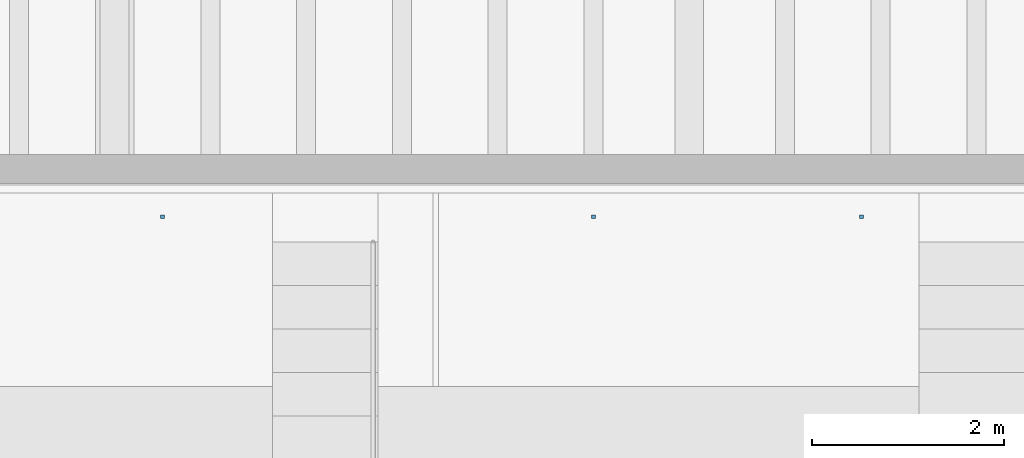
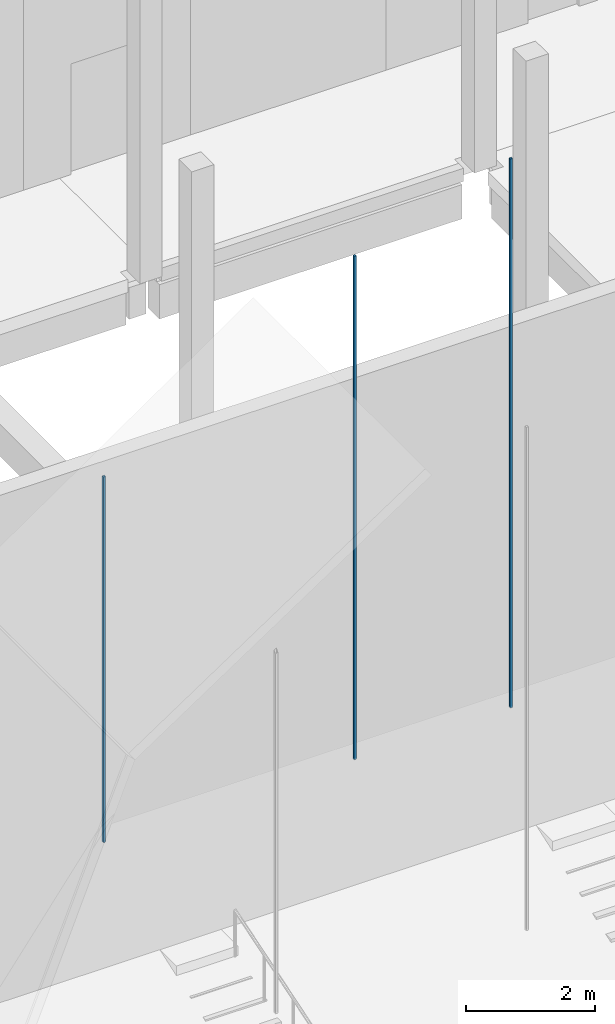
# One storey, part 74 of 118: 3 discrete accessories.
"""IFC4 building model written with IfcOpenShell, lengths in metres."""

from ifc_helpers import new_model, si_unit, direction, frame, origin, origin_2d, place, context, subcontext, project, spatial, rectangle, extrude, element, save


model = new_model("IFC4")

# Units and contexts
model_context = context("Model", 3, precision=1e-05, world=origin(), true_north=direction((0.0, 1.0)))
body_context = subcontext(model_context, "Body", "Model", "MODEL_VIEW")
ifc_project = project(units=[si_unit("LENGTHUNIT", "METRE"), si_unit("AREAUNIT", "SQUARE_METRE"), si_unit("VOLUMEUNIT", "CUBIC_METRE"), si_unit("PLANEANGLEUNIT", "RADIAN"), si_unit("MASSUNIT", "GRAM", prefix="KILO")], contexts=[model_context])

# Site, building, storey
site_placement = place(None, origin())
site = spatial("IfcSite", under=ifc_project, at=site_placement, CompositionType="ELEMENT")
building_placement = place(site_placement, origin())
building = spatial("IfcBuilding", under=site, at=building_placement, Name="Saffron Lane Theatres", CompositionType="ELEMENT")
storey_placement = place(building_placement, frame((0.0, 0.0, 16.5)))
storey = spatial("IfcBuildingStorey", under=building, at=storey_placement, Name="L03", CompositionType="ELEMENT", Elevation=16.5)

# Discrete accessories
discrete_accessory_1_placement = place(storey_placement, frame((24.5, 89.35009765625, 4.56005859375), z_axis=(0.0, 0.0, 1.0), x_axis=(1.0, 0.0, 0.0)))
element("IfcDiscreteAccessory", 1, at=discrete_accessory_1_placement, inside=storey, Name="Ceiling hanger", PredefinedType="BRACKET", context=body_context, shape_type="SweptSolid", body=[
    extrude(rectangle(XDim=0.0400390625, YDim=0.0400390625, at=origin_2d()), origin(), (0.0, 0.0, 1.0), 6.9375),
])
discrete_accessory_2_placement = place(storey_placement, frame((29.0, 89.35009765625, 4.56005859375), z_axis=(0.0, 0.0, 1.0), x_axis=(1.0, 0.0, 0.0)))
element("IfcDiscreteAccessory", 2, at=discrete_accessory_2_placement, inside=storey, Name="Ceiling hanger", PredefinedType="BRACKET", context=body_context, shape_type="SweptSolid", body=[
    extrude(rectangle(XDim=0.0400390625, YDim=0.0400390625, at=origin_2d()), origin(), (0.0, 0.0, 1.0), 9.54833984375),
])
discrete_accessory_3_placement = place(storey_placement, frame((31.800048828125, 89.35009765625, 4.56005859375), z_axis=(0.0, 0.0, 1.0), x_axis=(1.0, 0.0, 0.0)))
element("IfcDiscreteAccessory", 3, at=discrete_accessory_3_placement, inside=storey, Name="Ceiling hanger", PredefinedType="BRACKET", context=body_context, shape_type="SweptSolid", body=[
    extrude(rectangle(XDim=0.0400390625, YDim=0.0400390625, at=origin_2d()), origin(), (0.0, 0.0, 1.0), 10.412841796875),
])

save(model, "model.ifc")
